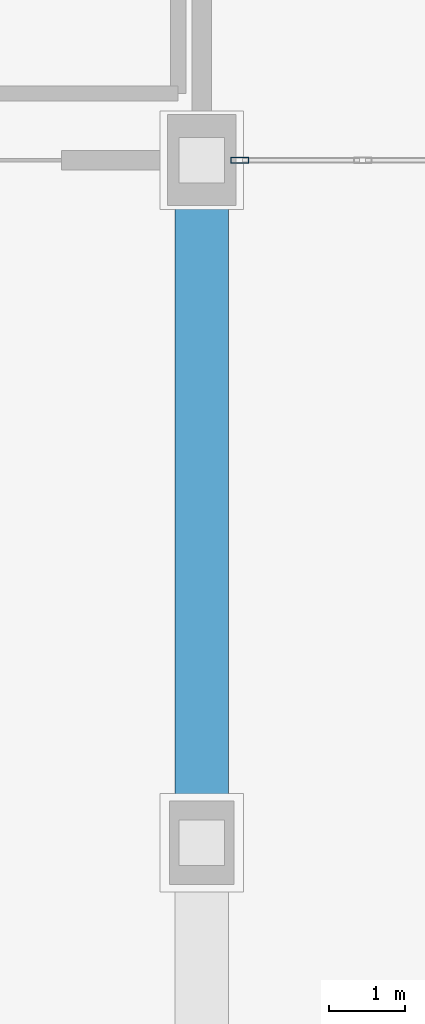
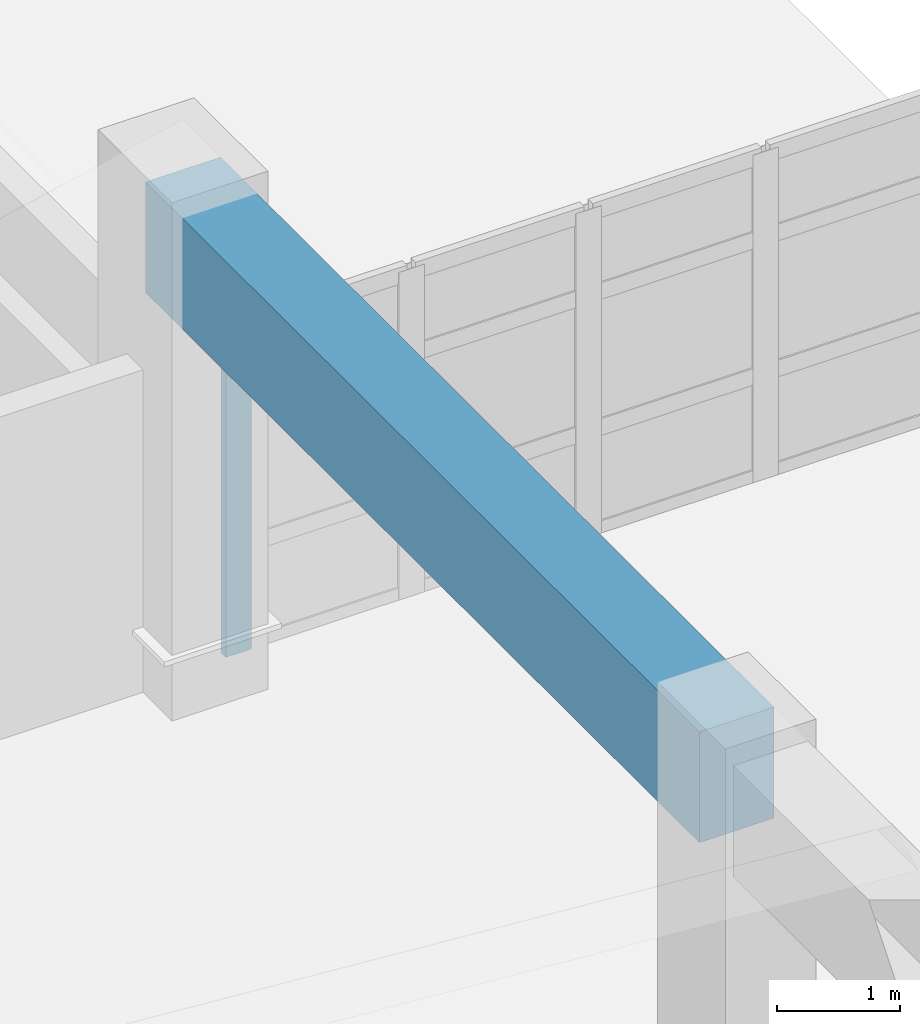
# One storey, part 26 of 80: 1 beam, 1 member, 1 element without a shape of its own.
"""IFC4 building model written with IfcOpenShell, lengths in metres."""

from ifc_helpers import new_model, si_unit, direction, frame, origin, origin_2d, place, context, subcontext, project, spatial, rectangle, hollow_rectangle, extrude, material, layer, layer_set, material_profile, profile_set, type_object, element, aggregate, save


model = new_model("IFC4")

# Units and contexts
model_context = context("Model", 3, precision=1e-05, world=origin(), true_north=direction((0.0, 1.0)))
body_context = subcontext(model_context, "Body", "Model", "MODEL_VIEW")
ifc_project = project(units=[si_unit("LENGTHUNIT", "METRE"), si_unit("AREAUNIT", "SQUARE_METRE"), si_unit("VOLUMEUNIT", "CUBIC_METRE"), si_unit("PLANEANGLEUNIT", "RADIAN"), si_unit("MASSUNIT", "GRAM", prefix="KILO")], contexts=[model_context])

# Site, building, storey
site_placement = place(None, origin())
site = spatial("IfcSite", under=ifc_project, at=site_placement, CompositionType="ELEMENT")
building_placement = place(site_placement, origin())
building = spatial("IfcBuilding", under=site, at=building_placement, Name="Ornek Quay Market", CompositionType="ELEMENT")
storey_placement = place(building_placement, frame((0.0, 0.0, 8.39990234375)))
storey = spatial("IfcBuildingStorey", under=building, at=storey_placement, Name="L02", CompositionType="ELEMENT", Elevation=8.39990234375)

# Beam
ifc_material_1 = material(Name="Concrete C45/55", Category="concrete")
ifc_material_profile_1 = material_profile(ifc_material_1, rectangle(XDim=0.699951171875, YDim=1.10009765625, at=origin_2d()), Name="RC 700x1100", Category="concrete")
ifc_profile_set_1 = profile_set([ifc_material_profile_1], Name="Concrete C45/55")
beam_type = type_object("IfcBeamType", Name="BM-ARCH-TIE-700x1100", PredefinedType="BEAM", material=ifc_profile_set_1)
beam_placement = place(storey_placement, frame((63.0, 83.0, 4.400146484375), z_axis=(0.0, 1.0, 0.0), x_axis=(-1.0, 0.0, 0.0)))
element("IfcBeam", 1, at=beam_placement, inside=storey, type_object=beam_type, Name="Arch springing edge tie beam K-W", PredefinedType="BEAM", context=body_context, shape_type="SweptSolid", body=[
    extrude(rectangle(XDim=0.699951171875, YDim=1.10009765625, at=origin_2d()), origin(), (0.0, 0.0, 1.0), 9.0),
])

# Curtain wall, member
ifc_material_2 = material(Name="Anodised bronze aluminium and triple low-e glass", Category="aluminium")
ifc_layer = layer(ifc_material_2, 0.239990234375, Name="Anodised bronze aluminium and triple low-e glass", Category="aluminium")
ifc_layer_set = layer_set([ifc_layer], Name="Anodised bronze aluminium and triple low-e glass")
curtain_wall_type = type_object("IfcCurtainWallType", Name="CW-GAB-MOD1800", PredefinedType="USERDEFINED", material=ifc_layer_set)
curtain_wall_placement = place(storey_placement, origin())
curtain_wall = element("IfcCurtainWall", 2, at=curtain_wall_placement, inside=storey, type_object=curtain_wall_type, Name="Curtain wall CW-064", ObjectType="CURTAIN WALL", PredefinedType="USERDEFINED")
ifc_material_3 = material(Name="Anodised aluminium 6063-T6", Category="aluminium")
ifc_material_profile_2 = material_profile(ifc_material_3, hollow_rectangle(XDim=0.080078125, YDim=0.239990234375, WallThickness=0.006103515625, at=origin_2d()), Name="CW-MUL-80x240", Category="aluminium")
ifc_profile_set_2 = profile_set([ifc_material_profile_2], Name="Anodised aluminium 6063-T6")
member_type = type_object("IfcMemberType", Name="CW-MUL-80x240", PredefinedType="MULLION", material=ifc_profile_set_2)
member_placement = place(storey_placement, frame((63.5, 92.0, 0.0), z_axis=(0.0, 0.0, 1.0), x_axis=(0.0, 1.0, 0.0)))
member = element("IfcMember", 3, at=member_placement, type_object=member_type, Name="CW-064 mullion 1", PredefinedType="MULLION", context=body_context, shape_type="SweptSolid", body=[
    extrude(hollow_rectangle(XDim=0.080078125, YDim=0.239990234375, WallThickness=0.006103515625, at=origin_2d()), origin(), (0.0, 0.0, 1.0), 3.25),
])
aggregate(curtain_wall, [member])

save(model, "model.ifc")
